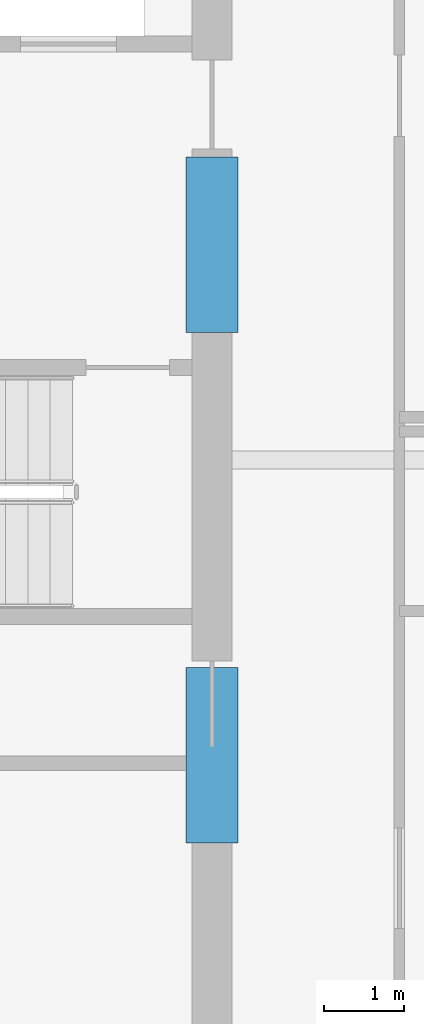
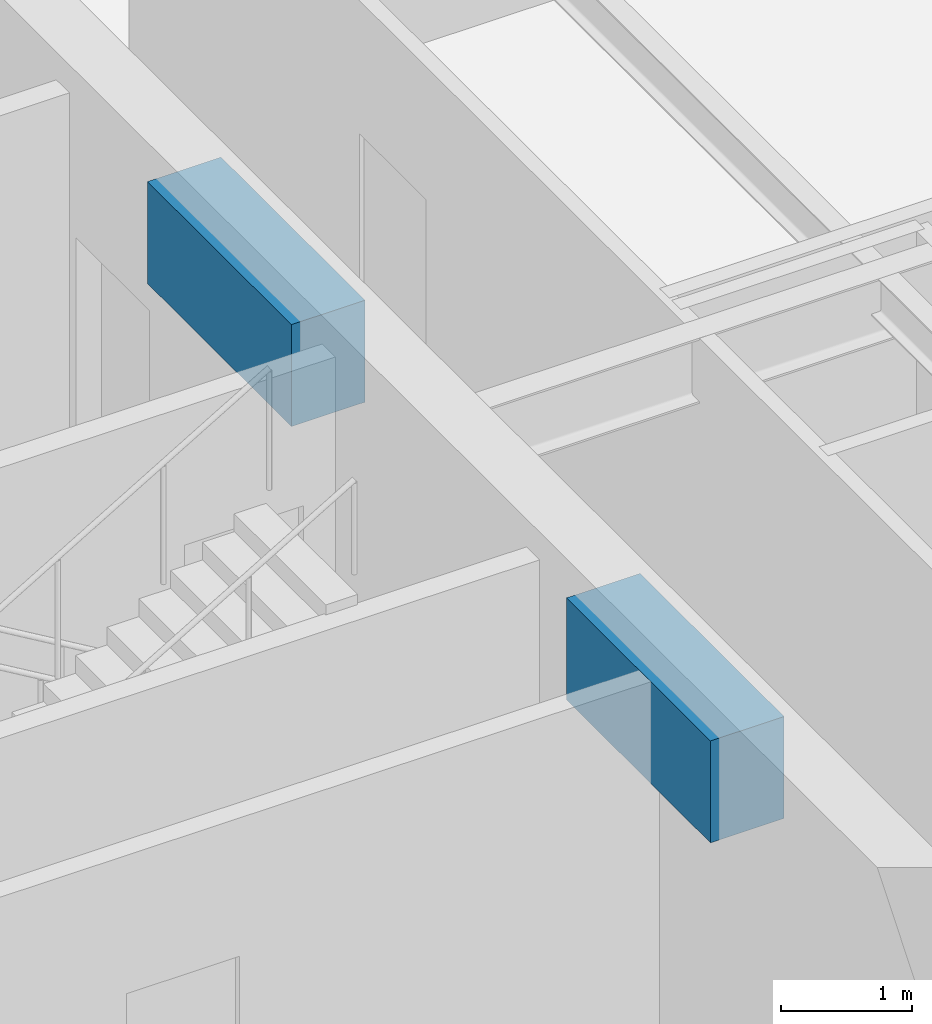
# One storey, part 14 of 33: 2 beams.
"""IFC4 building model written with IfcOpenShell, lengths in metres."""

from ifc_helpers import new_model, si_unit, direction, frame, origin, origin_2d, place, context, subcontext, project, spatial, rectangle, extrude, material, material_profile, profile_set, type_object, element, save


model = new_model("IFC4")

# Units and contexts
model_context = context("Model", 3, precision=1e-05, world=origin(), true_north=direction((0.0, 1.0)))
body_context = subcontext(model_context, "Body", "Model", "MODEL_VIEW")
ifc_project = project(units=[si_unit("LENGTHUNIT", "METRE"), si_unit("AREAUNIT", "SQUARE_METRE"), si_unit("VOLUMEUNIT", "CUBIC_METRE"), si_unit("PLANEANGLEUNIT", "RADIAN"), si_unit("MASSUNIT", "GRAM", prefix="KILO")], contexts=[model_context])

# Site, building, storey
site_placement = place(None, origin())
site = spatial("IfcSite", under=ifc_project, at=site_placement, CompositionType="ELEMENT")
building_placement = place(site_placement, origin())
building = spatial("IfcBuilding", under=site, at=building_placement, Name="Drelvath Grand Hotel", CompositionType="ELEMENT")
storey_placement = place(building_placement, frame((0.0, 0.0, 279.60009765625)))
storey = spatial("IfcBuildingStorey", under=building, at=storey_placement, Name="L73", CompositionType="ELEMENT", Elevation=279.60009765625)

# Beams
ifc_material = material(Name="Concrete f'c 55 MPa", Category="concrete")
ifc_material_profile = material_profile(ifc_material, rectangle(XDim=0.64990234375, YDim=0.949951171875, at=origin_2d()), Name="CB650X950")
ifc_profile_set = profile_set([ifc_material_profile], Name="Concrete f'c 55 MPa")
beam_type = type_object("IfcBeamType", Name="Core Coupling Lintel CB650X950", PredefinedType="LINTEL", material=ifc_profile_set)
for number, where, z_axis, x_axis, name in (
    (1, (8.35009765625, 22.199951171875, 2.914794921875), (0.0, 1.0, 0.0), (-1.0, 0.0, 0.0), "L73 Core Coupling Lintel ES"),
    (2, (8.35009765625, 28.60009765625, 2.914794921875), (0.0, 1.0, 0.0), (-1.0, 0.0, 0.0), "L73 Core Coupling Lintel EN"),
):
    element("IfcBeam", number, at=place(storey_placement, frame(where, z_axis=z_axis, x_axis=x_axis)), inside=storey, type_object=beam_type, Name=name, PredefinedType="LINTEL", context=body_context, shape_type="SweptSolid", body=[
        extrude(rectangle(XDim=0.64990234375, YDim=0.949951171875, at=origin_2d()), origin(), (0.0, 0.0, 1.0), 2.199951171875),
    ])

save(model, "model.ifc")
